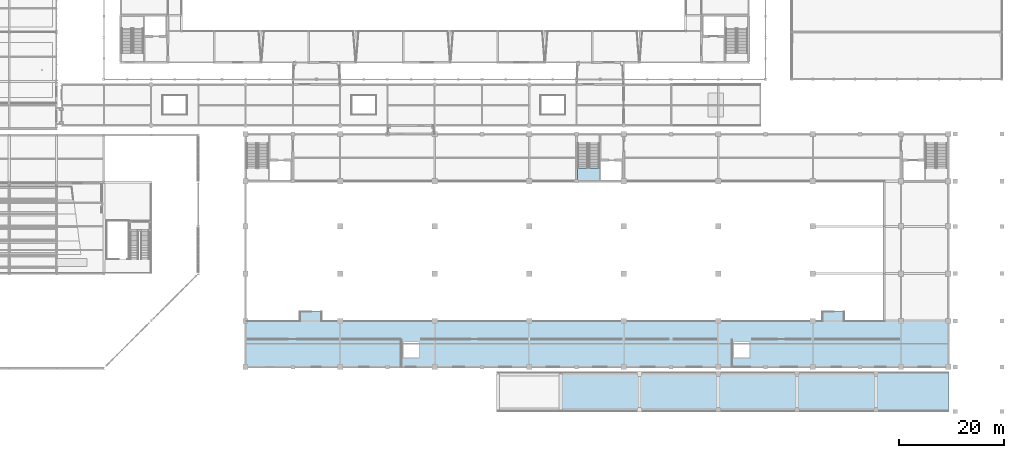
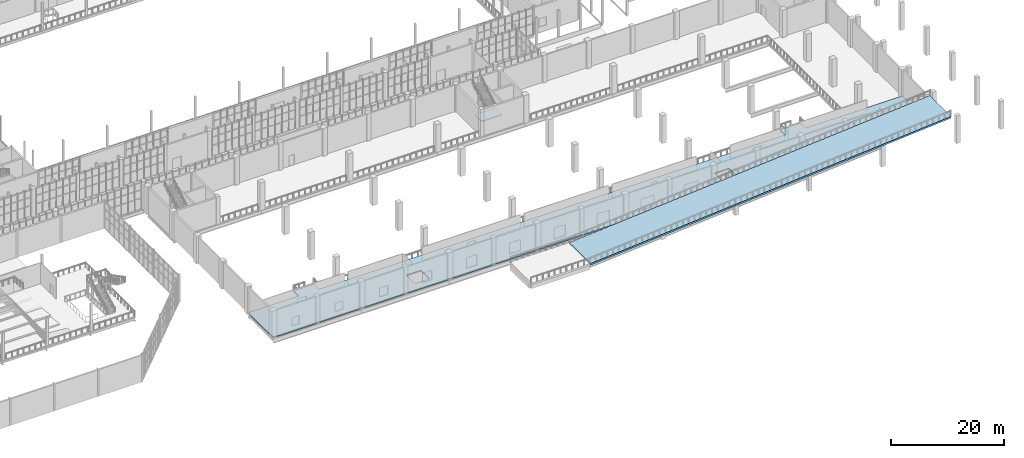
# One storey, part 108 of 159: 3 slabs, 1 element without a shape of its own.
"""IFC4 building model written with IfcOpenShell, lengths in metres."""

from ifc_helpers import new_model, si_unit, direction, frame, origin, place, context, subcontext, project, spatial, polyline, outline, extrude, material, layer, layer_set, type_object, element, aggregate, save


model = new_model("IFC4")

# Units and contexts
model_context = context("Model", 3, precision=1e-05, world=origin(), true_north=direction((0.0, 1.0)))
body_context = subcontext(model_context, "Body", "Model", "MODEL_VIEW")
ifc_project = project(units=[si_unit("LENGTHUNIT", "METRE"), si_unit("AREAUNIT", "SQUARE_METRE"), si_unit("VOLUMEUNIT", "CUBIC_METRE"), si_unit("PLANEANGLEUNIT", "RADIAN"), si_unit("MASSUNIT", "GRAM", prefix="KILO")], contexts=[model_context])

# Site, building, storey
site_placement = place(None, origin())
site = spatial("IfcSite", under=ifc_project, at=site_placement, CompositionType="ELEMENT")
building_placement = place(site_placement, origin())
building = spatial("IfcBuilding", under=site, at=building_placement, Name="Cazmaro Siding Exhibition Halls", CompositionType="ELEMENT")
storey_placement = place(building_placement, frame((0.0, 0.0, 6.0)))
storey = spatial("IfcBuildingStorey", under=building, at=storey_placement, Name="L01", CompositionType="ELEMENT", Elevation=6.0)

# Slab
ifc_material_1 = material(Name="Concrete f'c 35 MPa", Category="concrete")
ifc_layer_1 = layer(ifc_material_1, 0.25)
ifc_layer_set_1 = layer_set([ifc_layer_1], Name="Concrete f'c 35 MPa")
slab_type_1 = type_object("IfcSlabType", Name="FS-02", PredefinedType="FLOOR", material=ifc_layer_set_1)
slab_1_placement = place(storey_placement, frame((0.0, 0.0, -0.25)))
element("IfcSlab", 1, at=slab_1_placement, inside=storey, type_object=slab_type_1, Name="Hall B1 South Gallery L01 FS-02 SLB-0015", PredefinedType="FLOOR", context=body_context, shape_type="SweptSolid", body=[
    extrude(outline(polyline([(72.0, 9.25), (205.800048828125, 9.25), (205.800048828125, 18.0), (186.0, 18.0), (186.0, 19.800048828125), (181.800048828125, 19.800048828125), (181.800048828125, 18.0), (86.5, 18.0), (86.5, 19.800048828125), (82.300048828125, 19.800048828125), (82.300048828125, 18.0), (72.0, 18.0), (72.0, 9.25)]), holes=[polyline([(102.0, 11.0), (105.0, 11.0), (105.0, 14.0), (102.0, 14.0), (102.0, 11.0)]), polyline([(165.0, 11.0), (168.0, 11.0), (168.0, 14.0), (165.0, 14.0), (165.0, 11.0)])]), origin(), (0.0, 0.0, 1.0), 0.25),
])

# Stair, slab
ifc_material_2 = material(Name="Concrete f'c 40 MPa", Category="concrete")
stair_type = type_object("IfcStairType", Name="STT-08", PredefinedType="TWO_STRAIGHT_RUN_STAIR", material=ifc_material_2)
stair_placement = place(storey_placement, origin())
stair = element("IfcStair", 2, at=stair_placement, inside=storey, type_object=stair_type, Name="Core C4 Exit Stair L01-L02 ST-08", PredefinedType="TWO_STRAIGHT_RUN_STAIR")
ifc_material_3 = material(Name="Concrete f'c 40 MPa", Category="concrete")
ifc_layer_2 = layer(ifc_material_3, 0.199951171875)
ifc_layer_set_2 = layer_set([ifc_layer_2], Name="Concrete f'c 40 MPa")
slab_type_2 = type_object("IfcSlabType", Name="LND-08", PredefinedType="LANDING", material=ifc_layer_set_2)
slab_2_placement = place(storey_placement, frame((0.0, 0.0, 2.800048828125)))
slab_2 = element("IfcSlab", 3, at=slab_2_placement, type_object=slab_type_2, Name="ST-08 landing 1", PredefinedType="LANDING", context=body_context, shape_type="SweptSolid", body=[
    extrude(outline(polyline([(135.175048828125, 44.77490234375), (139.3798828125, 44.77490234375), (139.3798828125, 47.10009765625), (135.175048828125, 47.10009765625), (135.175048828125, 44.77490234375)])), origin(), (0.0, 0.0, 1.0), 0.199951171875),
])
aggregate(stair, [slab_2])

# Slab
ifc_material_4 = material(Name="Concrete f'c 45 MPa", Category="concrete")
ifc_layer_3 = layer(ifc_material_4, 0.35009765625)
ifc_layer_set_3 = layer_set([ifc_layer_3], Name="Concrete f'c 45 MPa")
slab_type_3 = type_object("IfcSlabType", Name="VR-01", PredefinedType="USERDEFINED", material=ifc_layer_set_3)
slab_3_placement = place(storey_placement, frame((132.0, 0.75, 0.0), z_axis=(-0.081033392497, 0.0, 0.996711387163), x_axis=(0.996711387163, 0.0, 0.081033392497)))
element("IfcSlab", 4, at=slab_3_placement, inside=storey, type_object=slab_type_3, Name="Heavy Truck Vehicle Ramp TR-01 Flight 2 Structural Slab VR-01 SLB-0104", ObjectType="VEHICLE RAMP", PredefinedType="USERDEFINED", context=body_context, shape_type="SweptSolid", body=[
    extrude(outline(polyline([(0.0, 0.0), (74.04354939516092, 0.0), (74.04354939516092, 7.5), (0.0, 7.5), (0.0, 0.0)])), origin(), (0.0, 0.0, -1.0), 0.35009765625),
])

save(model, "model.ifc")
